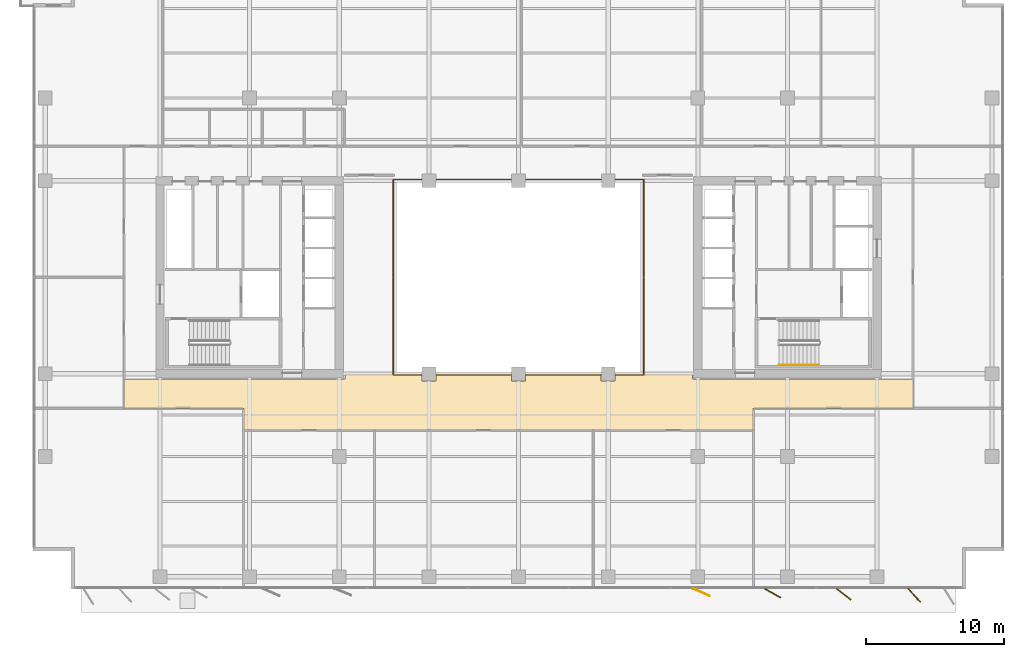
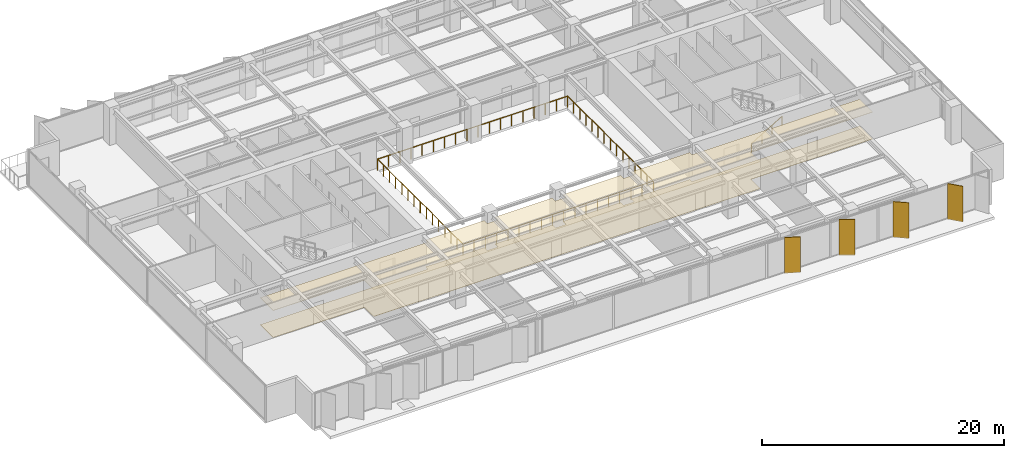
# One storey, part 20 of 22: 4 shading devices, 3 railings, 2 coverings.
"""IFC4 building model written with IfcOpenShell, lengths in metres."""

from ifc_helpers import new_model, si_unit, direction, frame, origin, origin_2d, place, context, subcontext, project, spatial, polyline, rectangle, circle, outline, extrude, material, layer, layer_set, type_object, element, save


model = new_model("IFC4")

# Units and contexts
model_context = context("Model", 3, precision=1e-05, world=origin(), true_north=direction((0.0, 1.0)))
body_context = subcontext(model_context, "Body", "Model", "MODEL_VIEW")
ifc_project = project(units=[si_unit("LENGTHUNIT", "METRE"), si_unit("AREAUNIT", "SQUARE_METRE"), si_unit("VOLUMEUNIT", "CUBIC_METRE"), si_unit("PLANEANGLEUNIT", "RADIAN"), si_unit("MASSUNIT", "GRAM", prefix="KILO")], contexts=[model_context])

# Site, building, storey
site_placement = place(None, origin())
site = spatial("IfcSite", under=ifc_project, at=site_placement, CompositionType="ELEMENT")
building_placement = place(site_placement, origin())
building = spatial("IfcBuilding", under=site, at=building_placement, Name="Putna Gate Headquarters", CompositionType="ELEMENT")
storey_placement = place(building_placement, frame((0.0, 0.0, 144.199951171875)))
storey = spatial("IfcBuildingStorey", under=building, at=storey_placement, Name="L35", CompositionType="ELEMENT", Elevation=144.199951171875)

# Coverings
ifc_material_1 = material(Name="Perforated mineral-fibre acoustic ceiling tile")
ifc_layer_1 = layer(ifc_material_1, 0.0400390625)
ifc_layer_set_1 = layer_set([ifc_layer_1], Name="Perforated mineral-fibre acoustic ceiling tile")
covering_type_1 = type_object("IfcCoveringType", Name="COV-ACOUSTIC-CEILING", PredefinedType="CEILING", material=ifc_layer_set_1)
covering_1_placement = place(storey_placement, frame((0.0, 0.0, 2.7099609375)))
element("IfcCovering", 1, at=covering_1_placement, inside=storey, type_object=covering_type_1, Name="L35 Acoustic Ceiling Covering 1", PredefinedType="CEILING", context=body_context, shape_type="SweptSolid", body=[
    extrude(outline(polyline([(19.099609375, 16.47998046875), (19.099609375, 14.93994140625), (55.99365234375, 14.93994140625), (55.99365234375, 16.47998046875), (67.6201171875, 16.47998046875), (67.6201171875, 18.6201171875), (51.60009765625, 18.6201171875), (51.60009765625, 18.97998046875), (46.008056640625, 18.97998046875), (46.008056640625, 18.491943359375), (44.991943359375, 18.491943359375), (44.991943359375, 18.97998046875), (39.508056640625, 18.97998046875), (39.508056640625, 18.491943359375), (38.491943359375, 18.491943359375), (38.491943359375, 18.97998046875), (33.008056640625, 18.97998046875), (33.008056640625, 18.491943359375), (31.991943359375, 18.491943359375), (31.991943359375, 18.97998046875), (26.39990234375, 18.97998046875), (26.39990234375, 18.6201171875), (10.3798828125, 18.6201171875), (10.3798828125, 16.47998046875), (19.099609375, 16.47998046875)])), origin(), (0.0, 0.0, 1.0), 0.0400390625),
])
ifc_material_2 = material(Name="Calcium-sulphate raised access floor finish")
ifc_layer_2 = layer(ifc_material_2, 0.030029296875)
ifc_layer_set_2 = layer_set([ifc_layer_2], Name="Calcium-sulphate raised access floor finish")
covering_type_2 = type_object("IfcCoveringType", Name="COV-RAISED-FLOORING", PredefinedType="FLOORING", material=ifc_layer_set_2)
covering_2_placement = place(storey_placement, origin())
element("IfcCovering", 2, at=covering_2_placement, inside=storey, type_object=covering_type_2, Name="L35 Raised Access Floor Covering 1", PredefinedType="FLOORING", context=body_context, shape_type="SweptSolid", body=[
    extrude(outline(polyline([(19.099609375, 16.47998046875), (19.099609375, 14.93994140625), (55.99365234375, 14.93994140625), (55.99365234375, 16.47998046875), (67.6201171875, 16.47998046875), (67.6201171875, 18.6201171875), (51.60009765625, 18.6201171875), (51.60009765625, 18.97998046875), (46.008056640625, 18.97998046875), (46.008056640625, 18.491943359375), (44.991943359375, 18.491943359375), (44.991943359375, 18.97998046875), (39.508056640625, 18.97998046875), (39.508056640625, 18.491943359375), (38.491943359375, 18.491943359375), (38.491943359375, 18.97998046875), (33.008056640625, 18.97998046875), (33.008056640625, 18.491943359375), (31.991943359375, 18.491943359375), (31.991943359375, 18.97998046875), (26.39990234375, 18.97998046875), (26.39990234375, 18.6201171875), (10.3798828125, 18.6201171875), (10.3798828125, 16.47998046875), (19.099609375, 16.47998046875)])), origin(), (0.0, 0.0, 1.0), 0.030029296875),
])

# Railings
ifc_material_3 = material(Name="Anodised bronze and laminated glass atrium balustrade", Category="glass")
railing_type_1 = type_object("IfcRailingType", Name="RAIL-ATRIUM-GUARD-1150", PredefinedType="GUARDRAIL", material=ifc_material_3)
railing_1_placement = place(storey_placement, frame((29.919921875, 25.969970703125, 0.0)))
element("IfcRailing", 3, at=railing_1_placement, inside=storey, type_object=railing_type_1, Name="L35 Central Atrium Glazed Balustrade South", PredefinedType="GUARDRAIL", context=body_context, shape_type="SweptSolid", body=[
    extrude(circle(Radius=0.02392578125, at=origin_2d()), frame((0.0, 0.0, 1.1259765625), z_axis=(0.0, -1.0, 0.0), x_axis=(1.0, 0.0, 0.0)), (0.0, 0.0, 1.0), 7.050048828125),
    extrude(circle(Radius=0.02392578125, at=origin_2d()), frame((0.0, -7.050048828125, 1.1259765625), z_axis=(1.0, 0.0, 0.0), x_axis=(0.0, 1.0, 0.0)), (0.0, 0.0, 1.0), 18.16015625),
    extrude(circle(Radius=0.02392578125, at=origin_2d()), frame((18.16015625, -7.050048828125, 1.1259765625), z_axis=(0.0, 1.0, 0.0), x_axis=(-1.0, 0.0, 0.0)), (0.0, 0.0, 1.0), 7.050048828125),
    extrude(circle(Radius=0.02099609375, at=origin_2d()), origin(), (0.0, 0.0, 1.0), 1.101806640625),
    extrude(circle(Radius=0.02099609375, at=origin_2d()), frame((0.0, -1.007080078125, 0.0)), (0.0, 0.0, 1.0), 1.101806640625),
    extrude(circle(Radius=0.02099609375, at=origin_2d()), frame((0.0, -2.014404296875, 0.0)), (0.0, 0.0, 1.0), 1.101806640625),
    extrude(circle(Radius=0.02099609375, at=origin_2d()), frame((0.0, -3.021484375, 0.0)), (0.0, 0.0, 1.0), 1.101806640625),
    extrude(circle(Radius=0.02099609375, at=origin_2d()), frame((0.0, -4.028564453125, 0.0)), (0.0, 0.0, 1.0), 1.101806640625),
    extrude(circle(Radius=0.02099609375, at=origin_2d()), frame((0.0, -5.03564453125, 0.0)), (0.0, 0.0, 1.0), 1.101806640625),
    extrude(circle(Radius=0.02099609375, at=origin_2d()), frame((0.0, -6.04296875, 0.0)), (0.0, 0.0, 1.0), 1.101806640625),
    extrude(circle(Radius=0.02099609375, at=origin_2d()), frame((0.0, -7.050048828125, 0.0)), (0.0, 0.0, 1.0), 1.101806640625),
    extrude(circle(Radius=0.02099609375, at=origin_2d()), frame((1.068359375, -7.050048828125, 0.0)), (0.0, 0.0, 1.0), 1.101806640625),
    extrude(circle(Radius=0.02099609375, at=origin_2d()), frame((2.136474609375, -7.050048828125, 0.0)), (0.0, 0.0, 1.0), 1.101806640625),
    extrude(circle(Radius=0.02099609375, at=origin_2d()), frame((3.204833984375, -7.050048828125, 0.0)), (0.0, 0.0, 1.0), 1.101806640625),
    extrude(circle(Radius=0.02099609375, at=origin_2d()), frame((4.27294921875, -7.050048828125, 0.0)), (0.0, 0.0, 1.0), 1.101806640625),
    extrude(circle(Radius=0.02099609375, at=origin_2d()), frame((5.34130859375, -7.050048828125, 0.0)), (0.0, 0.0, 1.0), 1.101806640625),
    extrude(circle(Radius=0.02099609375, at=origin_2d()), frame((6.409423828125, -7.050048828125, 0.0)), (0.0, 0.0, 1.0), 1.101806640625),
    extrude(circle(Radius=0.02099609375, at=origin_2d()), frame((7.477783203125, -7.050048828125, 0.0)), (0.0, 0.0, 1.0), 1.101806640625),
    extrude(circle(Radius=0.02099609375, at=origin_2d()), frame((8.5458984375, -7.050048828125, 0.0)), (0.0, 0.0, 1.0), 1.101806640625),
    extrude(circle(Radius=0.02099609375, at=origin_2d()), frame((9.6142578125, -7.050048828125, 0.0)), (0.0, 0.0, 1.0), 1.101806640625),
    extrude(circle(Radius=0.02099609375, at=origin_2d()), frame((10.682373046875, -7.050048828125, 0.0)), (0.0, 0.0, 1.0), 1.101806640625),
    extrude(circle(Radius=0.02099609375, at=origin_2d()), frame((11.750732421875, -7.050048828125, 0.0)), (0.0, 0.0, 1.0), 1.101806640625),
    extrude(circle(Radius=0.02099609375, at=origin_2d()), frame((12.81884765625, -7.050048828125, 0.0)), (0.0, 0.0, 1.0), 1.101806640625),
    extrude(circle(Radius=0.02099609375, at=origin_2d()), frame((13.88720703125, -7.050048828125, 0.0)), (0.0, 0.0, 1.0), 1.101806640625),
    extrude(circle(Radius=0.02099609375, at=origin_2d()), frame((14.955322265625, -7.050048828125, 0.0)), (0.0, 0.0, 1.0), 1.101806640625),
    extrude(circle(Radius=0.02099609375, at=origin_2d()), frame((16.023681640625, -7.050048828125, 0.0)), (0.0, 0.0, 1.0), 1.101806640625),
    extrude(circle(Radius=0.02099609375, at=origin_2d()), frame((17.091796875, -7.050048828125, 0.0)), (0.0, 0.0, 1.0), 1.101806640625),
    extrude(circle(Radius=0.02099609375, at=origin_2d()), frame((18.16015625, -7.050048828125, 0.0)), (0.0, 0.0, 1.0), 1.101806640625),
    extrude(circle(Radius=0.02099609375, at=origin_2d()), frame((18.16015625, -6.04296875, 0.0)), (0.0, 0.0, 1.0), 1.101806640625),
    extrude(circle(Radius=0.02099609375, at=origin_2d()), frame((18.16015625, -5.03564453125, 0.0)), (0.0, 0.0, 1.0), 1.101806640625),
    extrude(circle(Radius=0.02099609375, at=origin_2d()), frame((18.16015625, -4.028564453125, 0.0)), (0.0, 0.0, 1.0), 1.101806640625),
    extrude(circle(Radius=0.02099609375, at=origin_2d()), frame((18.16015625, -3.021484375, 0.0)), (0.0, 0.0, 1.0), 1.101806640625),
    extrude(circle(Radius=0.02099609375, at=origin_2d()), frame((18.16015625, -2.014404296875, 0.0)), (0.0, 0.0, 1.0), 1.101806640625),
    extrude(circle(Radius=0.02099609375, at=origin_2d()), frame((18.16015625, -1.007080078125, 0.0)), (0.0, 0.0, 1.0), 1.101806640625),
    extrude(circle(Radius=0.02099609375, at=origin_2d()), frame((18.16015625, 0.0, 0.0)), (0.0, 0.0, 1.0), 1.101806640625),
])
railing_2_placement = place(storey_placement, frame((48.080078125, 26.030029296875, 0.0)))
element("IfcRailing", 4, at=railing_2_placement, inside=storey, type_object=railing_type_1, Name="L35 Central Atrium Glazed Balustrade North", PredefinedType="GUARDRAIL", context=body_context, shape_type="SweptSolid", body=[
    extrude(circle(Radius=0.02392578125, at=origin_2d()), frame((0.0, 0.0, 1.1259765625), z_axis=(0.0, 1.0, 0.0), x_axis=(-1.0, 0.0, 0.0)), (0.0, 0.0, 1.0), 7.050048828125),
    extrude(circle(Radius=0.02392578125, at=origin_2d()), frame((0.0, 7.050048828125, 1.1259765625), z_axis=(-1.0, 0.0, 0.0), x_axis=(0.0, -1.0, 0.0)), (0.0, 0.0, 1.0), 18.16015625),
    extrude(circle(Radius=0.02392578125, at=origin_2d()), frame((-18.16015625, 7.050048828125, 1.1259765625), z_axis=(0.0, -1.0, 0.0), x_axis=(1.0, 0.0, 0.0)), (0.0, 0.0, 1.0), 7.050048828125),
    extrude(circle(Radius=0.02099609375, at=origin_2d()), origin(), (0.0, 0.0, 1.0), 1.101806640625),
    extrude(circle(Radius=0.02099609375, at=origin_2d()), frame((0.0, 1.007080078125, 0.0)), (0.0, 0.0, 1.0), 1.101806640625),
    extrude(circle(Radius=0.02099609375, at=origin_2d()), frame((0.0, 2.014404296875, 0.0)), (0.0, 0.0, 1.0), 1.101806640625),
    extrude(circle(Radius=0.02099609375, at=origin_2d()), frame((0.0, 3.021484375, 0.0)), (0.0, 0.0, 1.0), 1.101806640625),
    extrude(circle(Radius=0.02099609375, at=origin_2d()), frame((0.0, 4.028564453125, 0.0)), (0.0, 0.0, 1.0), 1.101806640625),
    extrude(circle(Radius=0.02099609375, at=origin_2d()), frame((0.0, 5.03564453125, 0.0)), (0.0, 0.0, 1.0), 1.101806640625),
    extrude(circle(Radius=0.02099609375, at=origin_2d()), frame((0.0, 6.04296875, 0.0)), (0.0, 0.0, 1.0), 1.101806640625),
    extrude(circle(Radius=0.02099609375, at=origin_2d()), frame((0.0, 7.050048828125, 0.0)), (0.0, 0.0, 1.0), 1.101806640625),
    extrude(circle(Radius=0.02099609375, at=origin_2d()), frame((-1.068359375, 7.050048828125, 0.0)), (0.0, 0.0, 1.0), 1.101806640625),
    extrude(circle(Radius=0.02099609375, at=origin_2d()), frame((-2.136474609375, 7.050048828125, 0.0)), (0.0, 0.0, 1.0), 1.101806640625),
    extrude(circle(Radius=0.02099609375, at=origin_2d()), frame((-3.204833984375, 7.050048828125, 0.0)), (0.0, 0.0, 1.0), 1.101806640625),
    extrude(circle(Radius=0.02099609375, at=origin_2d()), frame((-4.27294921875, 7.050048828125, 0.0)), (0.0, 0.0, 1.0), 1.101806640625),
    extrude(circle(Radius=0.02099609375, at=origin_2d()), frame((-5.34130859375, 7.050048828125, 0.0)), (0.0, 0.0, 1.0), 1.101806640625),
    extrude(circle(Radius=0.02099609375, at=origin_2d()), frame((-6.409423828125, 7.050048828125, 0.0)), (0.0, 0.0, 1.0), 1.101806640625),
    extrude(circle(Radius=0.02099609375, at=origin_2d()), frame((-7.477783203125, 7.050048828125, 0.0)), (0.0, 0.0, 1.0), 1.101806640625),
    extrude(circle(Radius=0.02099609375, at=origin_2d()), frame((-8.5458984375, 7.050048828125, 0.0)), (0.0, 0.0, 1.0), 1.101806640625),
    extrude(circle(Radius=0.02099609375, at=origin_2d()), frame((-9.6142578125, 7.050048828125, 0.0)), (0.0, 0.0, 1.0), 1.101806640625),
    extrude(circle(Radius=0.02099609375, at=origin_2d()), frame((-10.682373046875, 7.050048828125, 0.0)), (0.0, 0.0, 1.0), 1.101806640625),
    extrude(circle(Radius=0.02099609375, at=origin_2d()), frame((-11.750732421875, 7.050048828125, 0.0)), (0.0, 0.0, 1.0), 1.101806640625),
    extrude(circle(Radius=0.02099609375, at=origin_2d()), frame((-12.81884765625, 7.050048828125, 0.0)), (0.0, 0.0, 1.0), 1.101806640625),
    extrude(circle(Radius=0.02099609375, at=origin_2d()), frame((-13.88720703125, 7.050048828125, 0.0)), (0.0, 0.0, 1.0), 1.101806640625),
    extrude(circle(Radius=0.02099609375, at=origin_2d()), frame((-14.955322265625, 7.050048828125, 0.0)), (0.0, 0.0, 1.0), 1.101806640625),
    extrude(circle(Radius=0.02099609375, at=origin_2d()), frame((-16.023681640625, 7.050048828125, 0.0)), (0.0, 0.0, 1.0), 1.101806640625),
    extrude(circle(Radius=0.02099609375, at=origin_2d()), frame((-17.091796875, 7.050048828125, 0.0)), (0.0, 0.0, 1.0), 1.101806640625),
    extrude(circle(Radius=0.02099609375, at=origin_2d()), frame((-18.16015625, 7.050048828125, 0.0)), (0.0, 0.0, 1.0), 1.101806640625),
    extrude(circle(Radius=0.02099609375, at=origin_2d()), frame((-18.16015625, 6.04296875, 0.0)), (0.0, 0.0, 1.0), 1.101806640625),
    extrude(circle(Radius=0.02099609375, at=origin_2d()), frame((-18.16015625, 5.03564453125, 0.0)), (0.0, 0.0, 1.0), 1.101806640625),
    extrude(circle(Radius=0.02099609375, at=origin_2d()), frame((-18.16015625, 4.028564453125, 0.0)), (0.0, 0.0, 1.0), 1.101806640625),
    extrude(circle(Radius=0.02099609375, at=origin_2d()), frame((-18.16015625, 3.021484375, 0.0)), (0.0, 0.0, 1.0), 1.101806640625),
    extrude(circle(Radius=0.02099609375, at=origin_2d()), frame((-18.16015625, 2.014404296875, 0.0)), (0.0, 0.0, 1.0), 1.101806640625),
    extrude(circle(Radius=0.02099609375, at=origin_2d()), frame((-18.16015625, 1.007080078125, 0.0)), (0.0, 0.0, 1.0), 1.101806640625),
    extrude(circle(Radius=0.02099609375, at=origin_2d()), frame((-18.16015625, 0.0, 0.0)), (0.0, 0.0, 1.0), 1.101806640625),
])
ifc_material_4 = material(Name="Brushed stainless steel handrail", Category="steel")
railing_type_2 = type_object("IfcRailingType", Name="RAIL-STAIR-HAND-900", PredefinedType="HANDRAIL", material=ifc_material_4)
railing_3_placement = place(storey_placement, frame((57.89990234375, 19.64990234375, 0.1728515625)))
element("IfcRailing", 5, at=railing_3_placement, inside=storey, type_object=railing_type_2, Name="L35 ST2 stair handrail 1", PredefinedType="HANDRAIL", context=body_context, shape_type="SweptSolid", body=[
    extrude(circle(Radius=0.02392578125, at=origin_2d()), frame((0.0, 0.0, 0.8759765625), z_axis=(0.859160404282, 0.0, 0.51170636083), x_axis=(0.0, 1.0, 0.0)), (0.0, 0.0, 1.0), 3.37548828125),
    extrude(circle(Radius=0.02099609375, at=origin_2d()), origin(), (0.0, 0.0, 1.0), 0.851806640625),
    extrude(circle(Radius=0.02099609375, at=origin_2d()), frame((0.966796875, 0.0, 0.57568359375)), (0.0, 0.0, 1.0), 0.851806640625),
    extrude(circle(Radius=0.02099609375, at=origin_2d()), frame((1.933349609375, 0.0, 1.151611328125)), (0.0, 0.0, 1.0), 0.851806640625),
    extrude(circle(Radius=0.02099609375, at=origin_2d()), frame((2.900146484375, 0.0, 1.727294921875)), (0.0, 0.0, 1.0), 0.851806640625),
])

# Shading devices
ifc_material_5 = material(Name="Anodised architectural bronze aluminium fin", Category="aluminium")
ifc_layer_3 = layer(ifc_material_5, 0.06494140625)
ifc_layer_set_3 = layer_set([ifc_layer_3], Name="Anodised architectural bronze aluminium fin")
shading_device_type = type_object("IfcShadingDeviceType", Name="SHADE-BRONZE-FIN-1320", PredefinedType="USERDEFINED", material=ifc_layer_set_3)
for number, where, z_axis, x_axis, name in (
    (6, (52.2529296875, 3.15673828125, -0.02001953125), (0.0, 0.0, 1.0), (0.913687379856, -0.40641773078, 0.0), "L35 Bronze Vertical Shading Fin S7"),
    (7, (57.423828125, 3.098876953125, -0.02001953125), (0.0, 0.0, 1.0), (0.869322458298, -0.494245347472, 0.0), "L35 Bronze Vertical Shading Fin S8"),
    (8, (62.569580078125, 3.018310546875, -0.02001953125), (0.0, 0.0, 1.0), (0.787473187632, -0.616348909921, 0.0), "L35 Bronze Vertical Shading Fin S9"),
    (9, (67.691650390625, 2.9345703125, -0.02001953125), (0.0, 0.0, 1.0), (0.669130606359, -0.743144825477, 0.0), "L35 Bronze Vertical Shading Fin S10"),
):
    element("IfcShadingDevice", number, at=place(storey_placement, frame(where, z_axis=z_axis, x_axis=x_axis)), inside=storey, type_object=shading_device_type, Name=name, ObjectType="FIN", PredefinedType="USERDEFINED", context=body_context, shape_type="SweptSolid", body=[
        extrude(rectangle(XDim=1.320068359375, YDim=0.06494140625, at=origin_2d()), origin(), (0.0, 0.0, 1.0), 3.612060546875),
    ])

save(model, "model.ifc")
